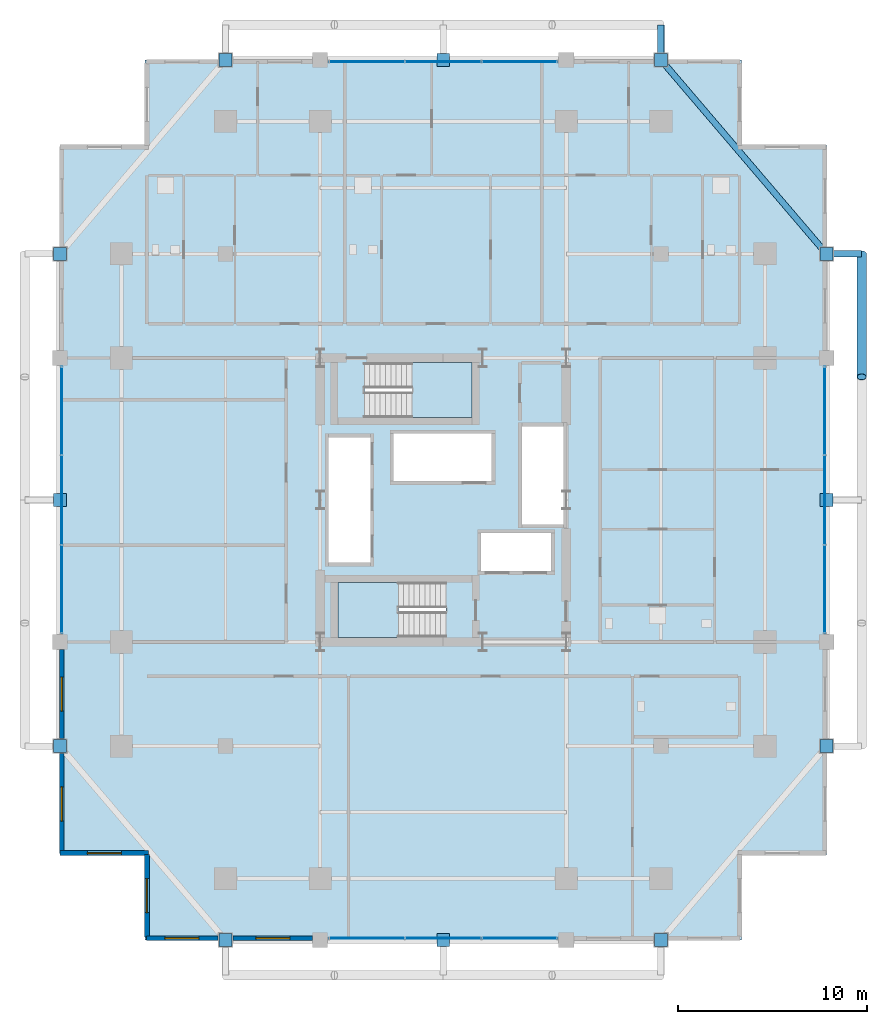
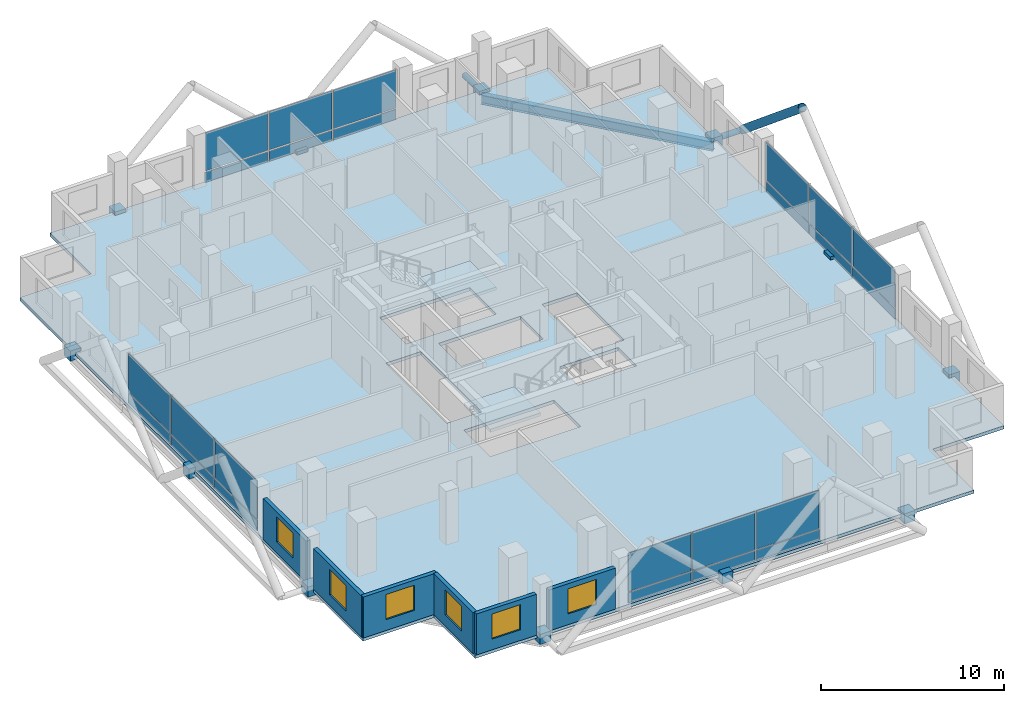
# One storey, part 18 of 24: 36 plates, 6 walls, 6 windows, 3 members, 3 slabs, 1 beam, 6 openings, 6 elements without a shape of their own.
"""IFC4 building model written with IfcOpenShell, lengths in metres."""

from ifc_helpers import new_model, si_unit, direction, frame, frame_2d, origin, origin_2d, place, context, subcontext, project, spatial, polyline, rectangle, hollow_circle, i_section, outline, extrude, material, layer, layer_set, material_profile, profile_set, type_object, element, fill, aggregate, save


model = new_model("IFC4")

# Units and contexts
model_context = context("Model", 3, precision=1e-05, world=origin(), true_north=direction((0.0, 1.0)))
body_context = subcontext(model_context, "Body", "Model", "MODEL_VIEW")
ifc_project = project(units=[si_unit("LENGTHUNIT", "METRE"), si_unit("AREAUNIT", "SQUARE_METRE"), si_unit("VOLUMEUNIT", "CUBIC_METRE"), si_unit("PLANEANGLEUNIT", "RADIAN"), si_unit("MASSUNIT", "GRAM", prefix="KILO")], contexts=[model_context])

# Site, building, storey
site_placement = place(None, origin())
site = spatial("IfcSite", under=ifc_project, at=site_placement, CompositionType="ELEMENT")
building_placement = place(site_placement, origin())
building = spatial("IfcBuilding", under=site, at=building_placement, Name="Barlavira Tower and Art Museum", CompositionType="ELEMENT")
storey_placement = place(building_placement, frame((0.0, 0.0, 109.800048828125)))
storey = spatial("IfcBuildingStorey", under=building, at=storey_placement, Name="L27", CompositionType="ELEMENT", Elevation=109.800048828125)

# Members
ifc_material_1 = material(Name="Steel S355", Category="steel")
ifc_material_profile_1 = material_profile(ifc_material_1, hollow_circle(Radius=0.25390625, WallThickness=0.022216796875, at=origin_2d()), Name="CHS 508.0x22.2")
ifc_profile_set_1 = profile_set([ifc_material_profile_1], Name="Steel S355")
member_type_1 = type_object("IfcMemberType", Name="Pale-Metal Exoskeleton Diagrid Tube CHS 508x22 Steel S355", PredefinedType="BRACE", material=ifc_profile_set_1)
member_placement = place(storey_placement, frame((22.10009765625, 13.0, -0.1201171875), z_axis=(0.0, -0.76918185268, 0.639029950399), x_axis=(1.0, 0.0, 0.0)))
element("IfcMember", 1, at=member_placement, inside=storey, type_object=member_type_1, Name="L27 Exoskeleton Diagrid Tube E", PredefinedType="BRACE", context=body_context, shape_type="SweptSolid", body=[
    extrude(hollow_circle(Radius=0.25390625, WallThickness=0.022216796875, at=origin_2d()), origin(), (0.0, 0.0, 1.0), 8.450439453125),
])
ifc_material_profile_2 = material_profile(ifc_material_1, hollow_circle(Radius=0.177734375, WallThickness=0.01611328125, at=origin_2d()), Name="CHS 355.6x16.0")
ifc_profile_set_2 = profile_set([ifc_material_profile_2], Name="Steel S355")
member_type_2 = type_object("IfcMemberType", Name="Pale-Metal Exoskeleton Tie Strut CHS 356x16 Steel S355", PredefinedType="STRUT", material=ifc_profile_set_2)
for number, where, z_axis, x_axis, name in (
    (2, (11.5, 25.10009765625, -0.1201171875), (0.0, -1.0, 0.0), (1.0, 0.0, 0.0), "L27 Exoskeleton Tie Strut N3"),
    (3, (22.10009765625, 13.0, -0.1201171875), (-1.0, 0.0, 0.0), (0.0, -1.0, 0.0), "L27 Exoskeleton Tie Strut E3"),
):
    element("IfcMember", number, at=place(storey_placement, frame(where, z_axis=z_axis, x_axis=x_axis)), inside=storey, type_object=member_type_2, Name=name, PredefinedType="STRUT", context=body_context, shape_type="SweptSolid", body=[
        extrude(hollow_circle(Radius=0.177734375, WallThickness=0.01611328125, at=origin_2d()), origin(), (0.0, 0.0, 1.0), 1.85009765625),
    ])

# Beam
ifc_material_profile_3 = material_profile(ifc_material_1, i_section(OverallWidth=0.327880859375, OverallDepth=0.62890625, WebThickness=0.013916015625, FlangeThickness=0.021484375, at=origin_2d()), Name="W610x174.0")
ifc_profile_set_3 = profile_set([ifc_material_profile_3], Name="Steel S355")
beam_type = type_object("IfcBeamType", Name="Perimeter Spandrel Edge Beam W610x174 Steel S355", PredefinedType="SPANDREL", material=ifc_profile_set_3)
beam_placement = place(storey_placement, frame((20.25, 13.0, -0.53466796875), z_axis=(-0.649262379928, 0.760564502202, 0.0), x_axis=(-0.760564502202, -0.649262379928, 0.0)))
element("IfcBeam", 4, at=beam_placement, inside=storey, type_object=beam_type, Name="L27 Spandrel 8", PredefinedType="SPANDREL", context=body_context, shape_type="SweptSolid", body=[
    extrude(i_section(OverallWidth=0.327880859375, OverallDepth=0.62890625, WebThickness=0.013916015625, FlangeThickness=0.021484375, at=origin_2d()), origin(), (0.0, 0.0, 1.0), 13.476806640625),
])

# Curtain wall, plates
ifc_material_2 = material(Name="Low-iron coastal laminated glass", Category="glass")
ifc_layer_1 = layer(ifc_material_2, 0.18994140625, Name="Low-iron coastal laminated glass")
ifc_layer_set_1 = layer_set([ifc_layer_1], Name="Low-iron coastal laminated glass")
curtain_wall_type = type_object("IfcCurtainWallType", Name="Pale-Metal Unitised Curtain Wall Zone 2", PredefinedType="NOTDEFINED", material=ifc_layer_set_1)
curtain_wall_1_placement = place(storey_placement, origin())
curtain_wall_1 = element("IfcCurtainWall", 5, at=curtain_wall_1_placement, inside=storey, type_object=curtain_wall_type, Name="L27 Curtain Wall CW2-L27-S-B3", PredefinedType="NOTDEFINED")
ifc_material_3 = material(Name="Pale anodised aluminium", Category="aluminium")
ifc_layer_2 = layer(ifc_material_3, 0.044921875, Name="Pale anodised aluminium")
ifc_layer_set_2 = layer_set([ifc_layer_2], Name="Pale anodised aluminium")
plate_type_1 = type_object("IfcPlateType", Name="Curtain Wall Pale-Metal Spandrel Panel 45", PredefinedType="CURTAIN_PANEL", material=ifc_layer_set_2)
plate_1_placement = place(storey_placement, frame((-4.05322265625, -23.14990234375, 0.0400390625), z_axis=(0.0, 0.0, 1.0), x_axis=(1.0, 0.0, 0.0)))
plate_1 = element("IfcPlate", 6, at=plate_1_placement, type_object=plate_type_1, Name="CW2-L27-S-B3 Spandrel Panel 0", PredefinedType="CURTAIN_PANEL", context=body_context, shape_type="SweptSolid", body=[
    extrude(rectangle(XDim=3.953369140625, YDim=0.044921875, at=origin_2d()), origin(), (0.0, 0.0, 1.0), 0.6640625),
])
plate_2_placement = place(storey_placement, frame((0.0, -23.14990234375, 0.0400390625), z_axis=(0.0, 0.0, 1.0), x_axis=(1.0, 0.0, 0.0)))
plate_2 = element("IfcPlate", 7, at=plate_2_placement, type_object=plate_type_1, Name="CW2-L27-S-B3 Spandrel Panel 1", PredefinedType="CURTAIN_PANEL", context=body_context, shape_type="SweptSolid", body=[
    extrude(rectangle(XDim=3.953369140625, YDim=0.044921875, at=origin_2d()), origin(), (0.0, 0.0, 1.0), 0.6640625),
])
plate_3_placement = place(storey_placement, frame((4.05322265625, -23.14990234375, 0.0400390625), z_axis=(0.0, 0.0, 1.0), x_axis=(1.0, 0.0, 0.0)))
plate_3 = element("IfcPlate", 8, at=plate_3_placement, type_object=plate_type_1, Name="CW2-L27-S-B3 Spandrel Panel 2", PredefinedType="CURTAIN_PANEL", context=body_context, shape_type="SweptSolid", body=[
    extrude(rectangle(XDim=3.953369140625, YDim=0.044921875, at=origin_2d()), origin(), (0.0, 0.0, 1.0), 0.6640625),
])

curtain_wall_2_placement = place(storey_placement, origin())
curtain_wall_2 = element("IfcCurtainWall", 9, at=curtain_wall_2_placement, inside=storey, type_object=curtain_wall_type, Name="L27 Curtain Wall CW2-L27-N-B3", PredefinedType="NOTDEFINED")
plate_4_placement = place(storey_placement, frame((4.05322265625, 23.14990234375, 0.0400390625), z_axis=(0.0, 0.0, 1.0), x_axis=(-1.0, 0.0, 0.0)))
plate_4 = element("IfcPlate", 10, at=plate_4_placement, type_object=plate_type_1, Name="CW2-L27-N-B3 Spandrel Panel 0", PredefinedType="CURTAIN_PANEL", context=body_context, shape_type="SweptSolid", body=[
    extrude(rectangle(XDim=3.953369140625, YDim=0.044921875, at=origin_2d()), origin(), (0.0, 0.0, 1.0), 0.6640625),
])
plate_5_placement = place(storey_placement, frame((0.0, 23.14990234375, 0.0400390625), z_axis=(0.0, 0.0, 1.0), x_axis=(-1.0, 0.0, 0.0)))
plate_5 = element("IfcPlate", 11, at=plate_5_placement, type_object=plate_type_1, Name="CW2-L27-N-B3 Spandrel Panel 1", PredefinedType="CURTAIN_PANEL", context=body_context, shape_type="SweptSolid", body=[
    extrude(rectangle(XDim=3.953369140625, YDim=0.044921875, at=origin_2d()), origin(), (0.0, 0.0, 1.0), 0.6640625),
])
plate_6_placement = place(storey_placement, frame((-4.05322265625, 23.14990234375, 0.0400390625), z_axis=(0.0, 0.0, 1.0), x_axis=(-1.0, 0.0, 0.0)))
plate_6 = element("IfcPlate", 12, at=plate_6_placement, type_object=plate_type_1, Name="CW2-L27-N-B3 Spandrel Panel 2", PredefinedType="CURTAIN_PANEL", context=body_context, shape_type="SweptSolid", body=[
    extrude(rectangle(XDim=3.953369140625, YDim=0.044921875, at=origin_2d()), origin(), (0.0, 0.0, 1.0), 0.6640625),
])

curtain_wall_3_placement = place(storey_placement, origin())
curtain_wall_3 = element("IfcCurtainWall", 13, at=curtain_wall_3_placement, inside=storey, type_object=curtain_wall_type, Name="L27 Curtain Wall CW2-L27-W-B3", PredefinedType="NOTDEFINED")
plate_7_placement = place(storey_placement, frame((-20.14990234375, 4.719970703125, 0.0400390625), z_axis=(0.0, 0.0, 1.0), x_axis=(0.0, -1.0, 0.0)))
plate_7 = element("IfcPlate", 14, at=plate_7_placement, type_object=plate_type_1, Name="CW2-L27-W-B3 Spandrel Panel 0", PredefinedType="CURTAIN_PANEL", context=body_context, shape_type="SweptSolid", body=[
    extrude(rectangle(XDim=4.6201171875, YDim=0.044921875, at=origin_2d()), origin(), (0.0, 0.0, 1.0), 0.6640625),
])
plate_8_placement = place(storey_placement, frame((-20.14990234375, 0.0, 0.0400390625), z_axis=(0.0, 0.0, 1.0), x_axis=(0.0, -1.0, 0.0)))
plate_8 = element("IfcPlate", 15, at=plate_8_placement, type_object=plate_type_1, Name="CW2-L27-W-B3 Spandrel Panel 1", PredefinedType="CURTAIN_PANEL", context=body_context, shape_type="SweptSolid", body=[
    extrude(rectangle(XDim=4.6201171875, YDim=0.044921875, at=origin_2d()), origin(), (0.0, 0.0, 1.0), 0.6640625),
])
plate_9_placement = place(storey_placement, frame((-20.14990234375, -4.719970703125, 0.0400390625), z_axis=(0.0, 0.0, 1.0), x_axis=(0.0, -1.0, 0.0)))
plate_9 = element("IfcPlate", 16, at=plate_9_placement, type_object=plate_type_1, Name="CW2-L27-W-B3 Spandrel Panel 2", PredefinedType="CURTAIN_PANEL", context=body_context, shape_type="SweptSolid", body=[
    extrude(rectangle(XDim=4.6201171875, YDim=0.044921875, at=origin_2d()), origin(), (0.0, 0.0, 1.0), 0.6640625),
])

curtain_wall_4_placement = place(storey_placement, origin())
curtain_wall_4 = element("IfcCurtainWall", 17, at=curtain_wall_4_placement, inside=storey, type_object=curtain_wall_type, Name="L27 Curtain Wall CW2-L27-E-B3", PredefinedType="NOTDEFINED")
plate_10_placement = place(storey_placement, frame((20.14990234375, -4.719970703125, 0.0400390625), z_axis=(0.0, 0.0, 1.0), x_axis=(0.0, 1.0, 0.0)))
plate_10 = element("IfcPlate", 18, at=plate_10_placement, type_object=plate_type_1, Name="CW2-L27-E-B3 Spandrel Panel 0", PredefinedType="CURTAIN_PANEL", context=body_context, shape_type="SweptSolid", body=[
    extrude(rectangle(XDim=4.6201171875, YDim=0.044921875, at=origin_2d()), origin(), (0.0, 0.0, 1.0), 0.6640625),
])
plate_11_placement = place(storey_placement, frame((20.14990234375, 0.0, 0.0400390625), z_axis=(0.0, 0.0, 1.0), x_axis=(0.0, 1.0, 0.0)))
plate_11 = element("IfcPlate", 19, at=plate_11_placement, type_object=plate_type_1, Name="CW2-L27-E-B3 Spandrel Panel 1", PredefinedType="CURTAIN_PANEL", context=body_context, shape_type="SweptSolid", body=[
    extrude(rectangle(XDim=4.6201171875, YDim=0.044921875, at=origin_2d()), origin(), (0.0, 0.0, 1.0), 0.6640625),
])
plate_12_placement = place(storey_placement, frame((20.14990234375, 4.719970703125, 0.0400390625), z_axis=(0.0, 0.0, 1.0), x_axis=(0.0, 1.0, 0.0)))
plate_12 = element("IfcPlate", 20, at=plate_12_placement, type_object=plate_type_1, Name="CW2-L27-E-B3 Spandrel Panel 2", PredefinedType="CURTAIN_PANEL", context=body_context, shape_type="SweptSolid", body=[
    extrude(rectangle(XDim=4.6201171875, YDim=0.044921875, at=origin_2d()), origin(), (0.0, 0.0, 1.0), 0.6640625),
])

# Plate
ifc_layer_3 = layer(ifc_material_2, 0.028076171875, Name="Low-iron coastal laminated glass")
ifc_layer_set_3 = layer_set([ifc_layer_3], Name="Low-iron coastal laminated glass")
plate_type_2 = type_object("IfcPlateType", Name="Curtain Wall Vision Glazing Panel 28", PredefinedType="CURTAIN_PANEL", material=ifc_layer_set_3)
plate_13_placement = place(storey_placement, frame((-4.05322265625, -23.14990234375, 0.7841796875), z_axis=(0.0, 0.0, 1.0), x_axis=(1.0, 0.0, 0.0)))
plate_13 = element("IfcPlate", 21, at=plate_13_placement, type_object=plate_type_2, Name="CW2-L27-S-B3 Vision Glass Panel 0", PredefinedType="CURTAIN_PANEL", context=body_context, shape_type="SweptSolid", body=[
    extrude(rectangle(XDim=3.953369140625, YDim=0.028076171875, at=origin_2d()), origin(), (0.0, 0.0, 1.0), 2.555908203125),
])

plate_14_placement = place(storey_placement, frame((0.0, -23.14990234375, 0.7841796875), z_axis=(0.0, 0.0, 1.0), x_axis=(1.0, 0.0, 0.0)))
plate_14 = element("IfcPlate", 22, at=plate_14_placement, type_object=plate_type_2, Name="CW2-L27-S-B3 Vision Glass Panel 1", PredefinedType="CURTAIN_PANEL", context=body_context, shape_type="SweptSolid", body=[
    extrude(rectangle(XDim=3.953369140625, YDim=0.028076171875, at=origin_2d()), origin(), (0.0, 0.0, 1.0), 2.555908203125),
])

plate_15_placement = place(storey_placement, frame((4.05322265625, -23.14990234375, 0.7841796875), z_axis=(0.0, 0.0, 1.0), x_axis=(1.0, 0.0, 0.0)))
plate_15 = element("IfcPlate", 23, at=plate_15_placement, type_object=plate_type_2, Name="CW2-L27-S-B3 Vision Glass Panel 2", PredefinedType="CURTAIN_PANEL", context=body_context, shape_type="SweptSolid", body=[
    extrude(rectangle(XDim=3.953369140625, YDim=0.028076171875, at=origin_2d()), origin(), (0.0, 0.0, 1.0), 2.555908203125),
])

aggregate(curtain_wall_1, [plate_1, plate_13, plate_2, plate_14, plate_3, plate_15])

plate_16_placement = place(storey_placement, frame((4.05322265625, 23.14990234375, 0.7841796875), z_axis=(0.0, 0.0, 1.0), x_axis=(-1.0, 0.0, 0.0)))
plate_16 = element("IfcPlate", 24, at=plate_16_placement, type_object=plate_type_2, Name="CW2-L27-N-B3 Vision Glass Panel 0", PredefinedType="CURTAIN_PANEL", context=body_context, shape_type="SweptSolid", body=[
    extrude(rectangle(XDim=3.953369140625, YDim=0.028076171875, at=origin_2d()), origin(), (0.0, 0.0, 1.0), 2.555908203125),
])

plate_17_placement = place(storey_placement, frame((0.0, 23.14990234375, 0.7841796875), z_axis=(0.0, 0.0, 1.0), x_axis=(-1.0, 0.0, 0.0)))
plate_17 = element("IfcPlate", 25, at=plate_17_placement, type_object=plate_type_2, Name="CW2-L27-N-B3 Vision Glass Panel 1", PredefinedType="CURTAIN_PANEL", context=body_context, shape_type="SweptSolid", body=[
    extrude(rectangle(XDim=3.953369140625, YDim=0.028076171875, at=origin_2d()), origin(), (0.0, 0.0, 1.0), 2.555908203125),
])

plate_18_placement = place(storey_placement, frame((-4.05322265625, 23.14990234375, 0.7841796875), z_axis=(0.0, 0.0, 1.0), x_axis=(-1.0, 0.0, 0.0)))
plate_18 = element("IfcPlate", 26, at=plate_18_placement, type_object=plate_type_2, Name="CW2-L27-N-B3 Vision Glass Panel 2", PredefinedType="CURTAIN_PANEL", context=body_context, shape_type="SweptSolid", body=[
    extrude(rectangle(XDim=3.953369140625, YDim=0.028076171875, at=origin_2d()), origin(), (0.0, 0.0, 1.0), 2.555908203125),
])

aggregate(curtain_wall_2, [plate_4, plate_16, plate_5, plate_17, plate_6, plate_18])

plate_19_placement = place(storey_placement, frame((-20.14990234375, 4.719970703125, 0.7841796875), z_axis=(0.0, 0.0, 1.0), x_axis=(0.0, -1.0, 0.0)))
plate_19 = element("IfcPlate", 27, at=plate_19_placement, type_object=plate_type_2, Name="CW2-L27-W-B3 Vision Glass Panel 0", PredefinedType="CURTAIN_PANEL", context=body_context, shape_type="SweptSolid", body=[
    extrude(rectangle(XDim=4.6201171875, YDim=0.028076171875, at=origin_2d()), origin(), (0.0, 0.0, 1.0), 2.555908203125),
])

plate_20_placement = place(storey_placement, frame((-20.14990234375, 0.0, 0.7841796875), z_axis=(0.0, 0.0, 1.0), x_axis=(0.0, -1.0, 0.0)))
plate_20 = element("IfcPlate", 28, at=plate_20_placement, type_object=plate_type_2, Name="CW2-L27-W-B3 Vision Glass Panel 1", PredefinedType="CURTAIN_PANEL", context=body_context, shape_type="SweptSolid", body=[
    extrude(rectangle(XDim=4.6201171875, YDim=0.028076171875, at=origin_2d()), origin(), (0.0, 0.0, 1.0), 2.555908203125),
])

plate_21_placement = place(storey_placement, frame((-20.14990234375, -4.719970703125, 0.7841796875), z_axis=(0.0, 0.0, 1.0), x_axis=(0.0, -1.0, 0.0)))
plate_21 = element("IfcPlate", 29, at=plate_21_placement, type_object=plate_type_2, Name="CW2-L27-W-B3 Vision Glass Panel 2", PredefinedType="CURTAIN_PANEL", context=body_context, shape_type="SweptSolid", body=[
    extrude(rectangle(XDim=4.6201171875, YDim=0.028076171875, at=origin_2d()), origin(), (0.0, 0.0, 1.0), 2.555908203125),
])

aggregate(curtain_wall_3, [plate_7, plate_19, plate_8, plate_20, plate_9, plate_21])

plate_22_placement = place(storey_placement, frame((20.14990234375, -4.719970703125, 0.7841796875), z_axis=(0.0, 0.0, 1.0), x_axis=(0.0, 1.0, 0.0)))
plate_22 = element("IfcPlate", 30, at=plate_22_placement, type_object=plate_type_2, Name="CW2-L27-E-B3 Vision Glass Panel 0", PredefinedType="CURTAIN_PANEL", context=body_context, shape_type="SweptSolid", body=[
    extrude(rectangle(XDim=4.6201171875, YDim=0.028076171875, at=origin_2d()), origin(), (0.0, 0.0, 1.0), 2.555908203125),
])

plate_23_placement = place(storey_placement, frame((20.14990234375, 0.0, 0.7841796875), z_axis=(0.0, 0.0, 1.0), x_axis=(0.0, 1.0, 0.0)))
plate_23 = element("IfcPlate", 31, at=plate_23_placement, type_object=plate_type_2, Name="CW2-L27-E-B3 Vision Glass Panel 1", PredefinedType="CURTAIN_PANEL", context=body_context, shape_type="SweptSolid", body=[
    extrude(rectangle(XDim=4.6201171875, YDim=0.028076171875, at=origin_2d()), origin(), (0.0, 0.0, 1.0), 2.555908203125),
])

plate_24_placement = place(storey_placement, frame((20.14990234375, 4.719970703125, 0.7841796875), z_axis=(0.0, 0.0, 1.0), x_axis=(0.0, 1.0, 0.0)))
plate_24 = element("IfcPlate", 32, at=plate_24_placement, type_object=plate_type_2, Name="CW2-L27-E-B3 Vision Glass Panel 2", PredefinedType="CURTAIN_PANEL", context=body_context, shape_type="SweptSolid", body=[
    extrude(rectangle(XDim=4.6201171875, YDim=0.028076171875, at=origin_2d()), origin(), (0.0, 0.0, 1.0), 2.555908203125),
])

aggregate(curtain_wall_4, [plate_10, plate_22, plate_11, plate_23, plate_12, plate_24])

# Plates
ifc_layer_4 = layer(ifc_material_1, 0.679931640625, Name="Steel S355")
ifc_layer_set_4 = layer_set([ifc_layer_4], Name="Steel S355")
plate_type_3 = type_object("IfcPlateType", Name="Exoskeleton Tie-Back Solid Cap Plate Assembly Type 5 Steel S355", PredefinedType="USERDEFINED", material=ifc_layer_set_4)
for number, where, z_axis, x_axis, name in (
    (33, (-11.5, -23.25, -0.4599609375), (0.0, 0.0, 1.0), (1.0, 0.0, 0.0), "Slab Edge Tie Cap Plate S1 ND-L27-0286"),
    (34, (0.0, -23.25, -0.4599609375), (0.0, 0.0, 1.0), (1.0, 0.0, 0.0), "Slab Edge Tie Cap Plate S2 ND-L27-0287"),
    (35, (11.5, -23.25, -0.4599609375), (0.0, 0.0, 1.0), (1.0, 0.0, 0.0), "Slab Edge Tie Cap Plate S3 ND-L27-0288"),
    (36, (-11.5, 23.25, -0.4599609375), (0.0, 0.0, 1.0), (1.0, 0.0, 0.0), "Slab Edge Tie Cap Plate N1 ND-L27-0294"),
    (37, (0.0, 23.25, -0.4599609375), (0.0, 0.0, 1.0), (1.0, 0.0, 0.0), "Slab Edge Tie Cap Plate N2 ND-L27-0295"),
    (38, (11.5, 23.25, -0.4599609375), (0.0, 0.0, 1.0), (1.0, 0.0, 0.0), "Slab Edge Tie Cap Plate N3 ND-L27-0296"),
    (39, (-20.25, -13.0, -0.4599609375), (0.0, 0.0, 1.0), (1.0, 0.0, 0.0), "Slab Edge Tie Cap Plate W1 ND-L27-0302"),
    (40, (-20.25, 0.0, -0.4599609375), (0.0, 0.0, 1.0), (1.0, 0.0, 0.0), "Slab Edge Tie Cap Plate W2 ND-L27-0303"),
    (41, (-20.25, 13.0, -0.4599609375), (0.0, 0.0, 1.0), (1.0, 0.0, 0.0), "Slab Edge Tie Cap Plate W3 ND-L27-0304"),
    (42, (20.25, -13.0, -0.4599609375), (0.0, 0.0, 1.0), (1.0, 0.0, 0.0), "Slab Edge Tie Cap Plate E1 ND-L27-0310"),
    (43, (20.25, 0.0, -0.4599609375), (0.0, 0.0, 1.0), (1.0, 0.0, 0.0), "Slab Edge Tie Cap Plate E2 ND-L27-0311"),
    (44, (20.25, 13.0, -0.4599609375), (0.0, 0.0, 1.0), (1.0, 0.0, 0.0), "Slab Edge Tie Cap Plate E3 ND-L27-0312"),
):
    element("IfcPlate", number, at=place(storey_placement, frame(where, z_axis=z_axis, x_axis=x_axis)), inside=storey, type_object=plate_type_3, Name=name, ObjectType="FLANGE_PLATE", PredefinedType="USERDEFINED", context=body_context, shape_type="SweptSolid", body=[
        extrude(rectangle(XDim=0.679931640625, YDim=0.679931640625, at=origin_2d()), origin(), (0.0, 0.0, 1.0), 0.679931640625),
    ])

# Stair, slab
ifc_material_4 = material(Name="Concrete C45", Category="concrete")
stair_type_1 = type_object("IfcStairType", Name="Tower North Dog-Leg Exit Stair Assembly Concrete C45", PredefinedType="TWO_QUARTER_TURN_STAIR", material=ifc_material_4)
stair_1_placement = place(storey_placement, origin())
stair_1 = element("IfcStair", 45, at=stair_1_placement, inside=storey, type_object=stair_type_1, Name="L27 Tower North Exit Stair ST-T2", PredefinedType="TWO_QUARTER_TURN_STAIR")
ifc_layer_5 = layer(ifc_material_4, 0.199951171875, Name="Concrete C45")
ifc_layer_set_5 = layer_set([ifc_layer_5], Name="Concrete C45")
slab_type_1 = type_object("IfcSlabType", Name="Tower North Dog-Leg Exit Stair Half-Landing Slab 200 Concrete C45", PredefinedType="LANDING", material=ifc_layer_set_5)
slab_1_placement = place(storey_placement, frame((0.0, 0.0, 1.599853515625)))
slab_1 = element("IfcSlab", 46, at=slab_1_placement, type_object=slab_type_1, Name="ST-T2 landing 1", PredefinedType="LANDING", context=body_context, shape_type="SweptSolid", body=[
    extrude(outline(polyline([(-1.64990234375, 4.35009765625), (1.530029296875, 4.35009765625), (1.530029296875, 7.25), (-1.64990234375, 7.25), (-1.64990234375, 4.35009765625)])), origin(), (0.0, 0.0, 1.0), 0.2001953125),
])
aggregate(stair_1, [slab_1])

stair_type_2 = type_object("IfcStairType", Name="Tower South Dog-Leg Exit Stair Assembly Concrete C45", PredefinedType="TWO_QUARTER_TURN_STAIR", material=ifc_material_4)
stair_2_placement = place(storey_placement, origin())
stair_2 = element("IfcStair", 47, at=stair_2_placement, inside=storey, type_object=stair_type_2, Name="L27 Tower South Exit Stair ST-T1", PredefinedType="TWO_QUARTER_TURN_STAIR")
ifc_layer_6 = layer(ifc_material_4, 0.199951171875, Name="Concrete C45")
ifc_layer_set_6 = layer_set([ifc_layer_6], Name="Concrete C45")
slab_type_2 = type_object("IfcSlabType", Name="Tower South Dog-Leg Exit Stair Half-Landing Slab 200 Concrete C45", PredefinedType="LANDING", material=ifc_layer_set_6)
slab_2_placement = place(storey_placement, frame((0.0, 0.0, 1.599853515625)))
slab_2 = element("IfcSlab", 48, at=slab_2_placement, type_object=slab_type_2, Name="ST-T1 landing 1", PredefinedType="LANDING", context=body_context, shape_type="SweptSolid", body=[
    extrude(outline(polyline([(-2.3701171875, -4.35009765625), (-5.550048828125, -4.35009765625), (-5.550048828125, -7.25), (-2.3701171875, -7.25), (-2.3701171875, -4.35009765625)])), origin(), (0.0, 0.0, 1.0), 0.2001953125),
])
aggregate(stair_2, [slab_2])

# Slab
ifc_material_5 = material(Name="Concrete C50", Category="concrete")
ifc_layer_7 = layer(ifc_material_5, 0.2099609375, Name="Concrete C50")
ifc_layer_set_7 = layer_set([ifc_layer_7], Name="Concrete C50")
slab_type_3 = type_object("IfcSlabType", Name="Zone 2 Residential Composite Slab 210 Concrete C50", PredefinedType="FLOOR", material=ifc_layer_set_7)
slab_3_placement = place(storey_placement, frame((0.0, 0.0, -0.219970703125)))
element("IfcSlab", 49, at=slab_3_placement, inside=storey, type_object=slab_type_3, Name="L27 Tower Floor Slab", PredefinedType="FLOOR", context=body_context, shape_type="SweptSolid", body=[
    extrude(outline(polyline([(-15.75, -23.25), (15.75, -23.25), (15.75, -18.75), (20.25, -18.75), (20.25, 18.75), (15.75, 18.75), (15.75, 23.25), (-15.75, 23.25), (-15.75, 18.75), (-20.25, 18.75), (-20.25, -18.75), (-15.75, -18.75), (-15.75, -23.25)]), holes=[polyline([(0.14990234375, -4.35009765625), (-5.550048828125, -4.35009765625), (-5.550048828125, -7.25), (0.14990234375, -7.25), (0.14990234375, -4.35009765625)]), polyline([(-4.169921875, 4.35009765625), (1.530029296875, 4.35009765625), (1.530029296875, 7.25), (-4.169921875, 7.25), (-4.169921875, 4.35009765625)]), polyline([(-6.050048828125, -3.31005859375), (-3.85009765625, -3.31005859375), (-3.85009765625, 3.31005859375), (-6.050048828125, 3.31005859375), (-6.050048828125, -3.31005859375)]), polyline([(4.14990234375, -1.2900390625), (6.35009765625, -1.2900390625), (6.35009765625, 3.889892578125), (4.14990234375, 3.889892578125), (4.14990234375, -1.2900390625)]), polyline([(-2.6201171875, 1.0), (2.56005859375, 1.0), (2.56005859375, 3.5), (-2.6201171875, 3.5), (-2.6201171875, 1.0)]), polyline([(2.0, -3.75), (5.699951171875, -3.75), (5.699951171875, -1.75), (2.0, -1.75), (2.0, -3.75)])]), origin(), (0.0, 0.0, 1.0), 0.219970703125),
])

# Wall, opening, window
ifc_material_6 = material(Name="Precast concrete C40", Category="concrete")
ifc_layer_8 = layer(ifc_material_6, 0.25, Name="Precast concrete C40")
ifc_layer_set_8 = layer_set([ifc_layer_8], Name="Precast concrete C40")
wall_type = type_object("IfcWallType", Name="Notched Corner Spandrel Wall 250 Precast Concrete C40", PredefinedType="SOLIDWALL", material=ifc_layer_set_8)
wall_1_placement = place(storey_placement, frame((-15.675048828125, -23.14990234375, 0.0), z_axis=(0.0, 0.0, 1.0), x_axis=(1.0, 0.0, 0.0)))
wall_1 = element("IfcWall", 50, at=wall_1_placement, inside=storey, type_object=wall_type, Name="L27 Coastal Facade Pier Wall CW2-L27-S-1", PredefinedType="SOLIDWALL", context=body_context, shape_type="SweptSolid", body=[
    extrude(rectangle(XDim=3.780029296875, YDim=0.25, at=frame_2d((1.89013671875, 0.0))), origin(), (0.0, 0.0, 1.0), 2.73583984375),
])
opening_1_placement = place(wall_1_placement, frame((0.968017578125, 0.0, 0.719970703125)))
opening_1 = element("IfcOpeningElement", 51, at=opening_1_placement, cuts=wall_1, Name="Opening WN-01", PredefinedType="OPENING", context=body_context, shape_type="SweptSolid", body=[
    extrude(rectangle(XDim=1.800048828125, YDim=1.679931640625, at=frame_2d((0.89990234375, 0.83984375))), frame((0.0, 0.135009765625, 0.0), z_axis=(0.0, -1.0, 0.0), x_axis=(1.0, 0.0, 0.0)), (0.0, 0.0, 1.0), 0.27001953125),
])
window_type = type_object("IfcWindowType", Name="Recessed Notch Corner Punch Window 1800x1680", PartitioningType="SINGLE_PANEL", PredefinedType="WINDOW", material=ifc_material_2)
window_1_placement = place(opening_1_placement, origin())
window_1 = element("IfcWindow", 52, at=window_1_placement, inside=storey, type_object=window_type, Name="L27 Punched Facade Window EWP-CW2-L27-S-1-1", OverallHeight=1.679931640625, OverallWidth=1.800048828125, PartitioningType="SINGLE_PANEL", PredefinedType="WINDOW", context=body_context, shape_type="SweptSolid", body=[
    extrude(rectangle(XDim=1.800048828125, YDim=1.679931640625, at=frame_2d((0.89990234375, 0.83984375))), frame((0.0, 0.030029296875, 0.0), z_axis=(0.0, -1.0, 0.0), x_axis=(1.0, 0.0, 0.0)), (0.0, 0.0, 1.0), 0.06005859375),
])
fill(opening_1, window_1)

wall_2_placement = place(storey_placement, frame((-11.10498046875, -23.14990234375, 0.0), z_axis=(0.0, 0.0, 1.0), x_axis=(1.0, 0.0, 0.0)))
wall_2 = element("IfcWall", 53, at=wall_2_placement, inside=storey, type_object=wall_type, Name="L27 Coastal Facade Pier Wall CW2-L27-S-2", PredefinedType="SOLIDWALL", context=body_context, shape_type="SweptSolid", body=[
    extrude(rectangle(XDim=4.2099609375, YDim=0.25, at=frame_2d((2.10498046875, 0.0))), origin(), (0.0, 0.0, 1.0), 2.73583984375),
])
opening_2_placement = place(wall_2_placement, frame((1.205078125, 0.0, 0.719970703125)))
opening_2 = element("IfcOpeningElement", 54, at=opening_2_placement, cuts=wall_2, Name="Opening WN-01", PredefinedType="OPENING", context=body_context, shape_type="SweptSolid", body=[
    extrude(rectangle(XDim=1.800048828125, YDim=1.679931640625, at=frame_2d((0.89990234375, 0.83984375))), frame((0.0, 0.135009765625, 0.0), z_axis=(0.0, -1.0, 0.0), x_axis=(1.0, 0.0, 0.0)), (0.0, 0.0, 1.0), 0.27001953125),
])
window_2_placement = place(opening_2_placement, origin())
window_2 = element("IfcWindow", 55, at=window_2_placement, inside=storey, type_object=window_type, Name="L27 Punched Facade Window EWP-CW2-L27-S-2-1", OverallHeight=1.679931640625, OverallWidth=1.800048828125, PartitioningType="SINGLE_PANEL", PredefinedType="WINDOW", context=body_context, shape_type="SweptSolid", body=[
    extrude(rectangle(XDim=1.800048828125, YDim=1.679931640625, at=frame_2d((0.89990234375, 0.83984375))), frame((0.0, 0.030029296875, 0.0), z_axis=(0.0, -1.0, 0.0), x_axis=(1.0, 0.0, 0.0)), (0.0, 0.0, 1.0), 0.06005859375),
])
fill(opening_2, window_2)

wall_3_placement = place(storey_placement, frame((-20.14990234375, -7.89501953125, 0.0), z_axis=(0.0, 0.0, 1.0), x_axis=(0.0, -1.0, 0.0)))
wall_3 = element("IfcWall", 56, at=wall_3_placement, inside=storey, type_object=wall_type, Name="L27 Coastal Facade Pier Wall CW2-L27-W-4", PredefinedType="SOLIDWALL", context=body_context, shape_type="SweptSolid", body=[
    extrude(rectangle(XDim=4.7099609375, YDim=0.25, at=frame_2d((2.35498046875, 0.0))), origin(), (0.0, 0.0, 1.0), 2.73583984375),
])
opening_3_placement = place(wall_3_placement, frame((1.455078125, 0.0, 0.719970703125)))
opening_3 = element("IfcOpeningElement", 57, at=opening_3_placement, cuts=wall_3, Name="Opening WN-01", PredefinedType="OPENING", context=body_context, shape_type="SweptSolid", body=[
    extrude(rectangle(XDim=1.800048828125, YDim=1.679931640625, at=frame_2d((0.89990234375, 0.83984375))), frame((0.0, 0.135009765625, 0.0), z_axis=(0.0, -1.0, 0.0), x_axis=(1.0, 0.0, 0.0)), (0.0, 0.0, 1.0), 0.27001953125),
])
window_3_placement = place(opening_3_placement, origin())
window_3 = element("IfcWindow", 58, at=window_3_placement, inside=storey, type_object=window_type, Name="L27 Punched Facade Window EWP-CW2-L27-W-4-1", OverallHeight=1.679931640625, OverallWidth=1.800048828125, PartitioningType="SINGLE_PANEL", PredefinedType="WINDOW", context=body_context, shape_type="SweptSolid", body=[
    extrude(rectangle(XDim=1.800048828125, YDim=1.679931640625, at=frame_2d((0.89990234375, 0.83984375))), frame((0.0, 0.030029296875, 0.0), z_axis=(0.0, -1.0, 0.0), x_axis=(1.0, 0.0, 0.0)), (0.0, 0.0, 1.0), 0.06005859375),
])
fill(opening_3, window_3)

wall_4_placement = place(storey_placement, frame((-20.14990234375, -13.39501953125, 0.0), z_axis=(0.0, 0.0, 1.0), x_axis=(0.0, -1.0, 0.0)))
wall_4 = element("IfcWall", 59, at=wall_4_placement, inside=storey, type_object=wall_type, Name="L27 Coastal Facade Pier Wall CW2-L27-W-5", PredefinedType="SOLIDWALL", context=body_context, shape_type="SweptSolid", body=[
    extrude(rectangle(XDim=5.280029296875, YDim=0.25, at=frame_2d((2.64013671875, 0.0))), origin(), (0.0, 0.0, 1.0), 2.73583984375),
])
opening_4_placement = place(wall_4_placement, frame((1.762939453125, 0.0, 0.719970703125)))
opening_4 = element("IfcOpeningElement", 60, at=opening_4_placement, cuts=wall_4, Name="Opening WN-01", PredefinedType="OPENING", context=body_context, shape_type="SweptSolid", body=[
    extrude(rectangle(XDim=1.800048828125, YDim=1.679931640625, at=frame_2d((0.89990234375, 0.83984375))), frame((0.0, 0.135009765625, 0.0), z_axis=(0.0, -1.0, 0.0), x_axis=(1.0, 0.0, 0.0)), (0.0, 0.0, 1.0), 0.27001953125),
])
window_4_placement = place(opening_4_placement, origin())
window_4 = element("IfcWindow", 61, at=window_4_placement, inside=storey, type_object=window_type, Name="L27 Punched Facade Window EWP-CW2-L27-W-5-1", OverallHeight=1.679931640625, OverallWidth=1.800048828125, PartitioningType="SINGLE_PANEL", PredefinedType="WINDOW", context=body_context, shape_type="SweptSolid", body=[
    extrude(rectangle(XDim=1.800048828125, YDim=1.679931640625, at=frame_2d((0.89990234375, 0.83984375))), frame((0.0, 0.030029296875, 0.0), z_axis=(0.0, -1.0, 0.0), x_axis=(1.0, 0.0, 0.0)), (0.0, 0.0, 1.0), 0.06005859375),
])
fill(opening_4, window_4)

wall_5_placement = place(storey_placement, frame((-20.22998046875, -18.64990234375, 0.0), z_axis=(0.0, 0.0, 1.0), x_axis=(1.0, 0.0, 0.0)))
wall_5 = element("IfcWall", 62, at=wall_5_placement, inside=storey, type_object=wall_type, Name="L27 Notch Corner Wall SW1", PredefinedType="SOLIDWALL", context=body_context, shape_type="SweptSolid", body=[
    extrude(rectangle(XDim=4.659912109375, YDim=0.25, at=frame_2d((2.330078125, 0.0))), origin(), (0.0, 0.0, 1.0), 2.73583984375),
])
opening_5_placement = place(wall_5_placement, frame((1.429931640625, 0.0, 0.719970703125)))
opening_5 = element("IfcOpeningElement", 63, at=opening_5_placement, cuts=wall_5, Name="Opening WN-01", PredefinedType="OPENING", context=body_context, shape_type="SweptSolid", body=[
    extrude(rectangle(XDim=1.800048828125, YDim=1.679931640625, at=frame_2d((0.89990234375, 0.83984375))), frame((0.0, 0.135009765625, 0.0), z_axis=(0.0, -1.0, 0.0), x_axis=(1.0, 0.0, 0.0)), (0.0, 0.0, 1.0), 0.27001953125),
])
window_5_placement = place(opening_5_placement, origin())
window_5 = element("IfcWindow", 64, at=window_5_placement, inside=storey, type_object=window_type, Name="L27 Punched Facade Window EW-NTC-L27-SW1-1", OverallHeight=1.679931640625, OverallWidth=1.800048828125, PartitioningType="SINGLE_PANEL", PredefinedType="WINDOW", context=body_context, shape_type="SweptSolid", body=[
    extrude(rectangle(XDim=1.800048828125, YDim=1.679931640625, at=frame_2d((0.89990234375, 0.83984375))), frame((0.0, 0.030029296875, 0.0), z_axis=(0.0, -1.0, 0.0), x_axis=(1.0, 0.0, 0.0)), (0.0, 0.0, 1.0), 0.06005859375),
])
fill(opening_5, window_5)

wall_6_placement = place(storey_placement, frame((-15.64990234375, -18.72998046875, 0.0), z_axis=(0.0, 0.0, 1.0), x_axis=(0.0, -1.0, 0.0)))
wall_6 = element("IfcWall", 65, at=wall_6_placement, inside=storey, type_object=wall_type, Name="L27 Notch Corner Wall SW2", PredefinedType="SOLIDWALL", context=body_context, shape_type="SweptSolid", body=[
    extrude(rectangle(XDim=4.340087890625, YDim=0.25, at=frame_2d((2.169921875, 0.0))), origin(), (0.0, 0.0, 1.0), 2.73583984375),
])
opening_6_placement = place(wall_6_placement, frame((1.27001953125, 0.0, 0.719970703125)))
opening_6 = element("IfcOpeningElement", 66, at=opening_6_placement, cuts=wall_6, Name="Opening WN-01", PredefinedType="OPENING", context=body_context, shape_type="SweptSolid", body=[
    extrude(rectangle(XDim=1.800048828125, YDim=1.679931640625, at=frame_2d((0.89990234375, 0.83984375))), frame((0.0, 0.135009765625, 0.0), z_axis=(0.0, -1.0, 0.0), x_axis=(1.0, 0.0, 0.0)), (0.0, 0.0, 1.0), 0.27001953125),
])
window_6_placement = place(opening_6_placement, origin())
window_6 = element("IfcWindow", 67, at=window_6_placement, inside=storey, type_object=window_type, Name="L27 Punched Facade Window EW-NTC-L27-SW2-1", OverallHeight=1.679931640625, OverallWidth=1.800048828125, PartitioningType="SINGLE_PANEL", PredefinedType="WINDOW", context=body_context, shape_type="SweptSolid", body=[
    extrude(rectangle(XDim=1.800048828125, YDim=1.679931640625, at=frame_2d((0.89990234375, 0.83984375))), frame((0.0, 0.030029296875, 0.0), z_axis=(0.0, -1.0, 0.0), x_axis=(1.0, 0.0, 0.0)), (0.0, 0.0, 1.0), 0.06005859375),
])
fill(opening_6, window_6)

save(model, "model.ifc")
